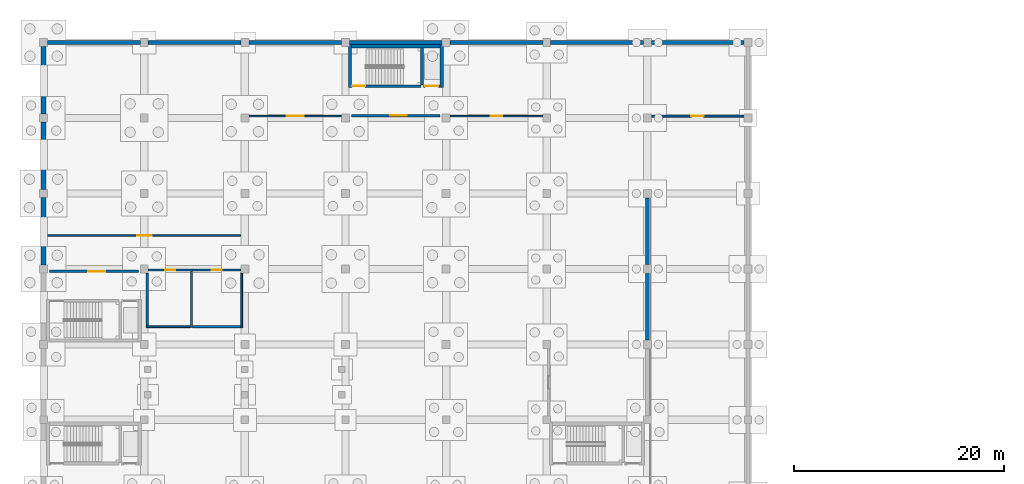
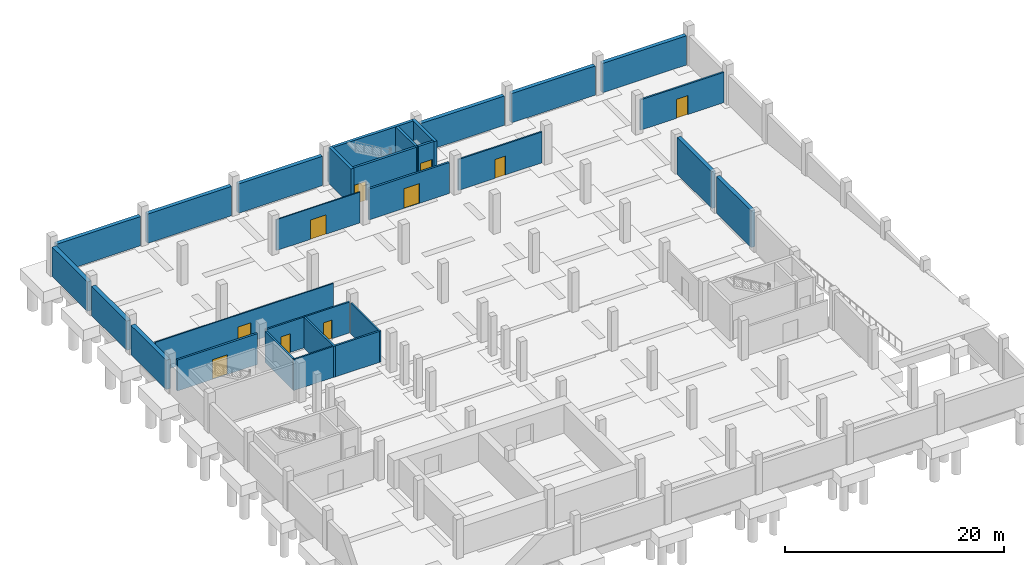
# One storey, part 7 of 13: 31 walls, 10 doors, 10 openings.
"""IFC4 building model written with IfcOpenShell, lengths in metres."""

from ifc_helpers import new_model, si_unit, direction, frame, frame_2d, origin, place, context, subcontext, project, spatial, rectangle, extrude, material, layer, layer_set, type_object, element, fill, save


model = new_model("IFC4")

# Units and contexts
model_context = context("Model", 3, precision=1e-05, world=origin(), true_north=direction((0.0, 1.0)))
body_context = subcontext(model_context, "Body", "Model", "MODEL_VIEW")
ifc_project = project(units=[si_unit("LENGTHUNIT", "METRE"), si_unit("AREAUNIT", "SQUARE_METRE"), si_unit("VOLUMEUNIT", "CUBIC_METRE"), si_unit("PLANEANGLEUNIT", "RADIAN"), si_unit("MASSUNIT", "GRAM", prefix="KILO")], contexts=[model_context])

# Site, building, storey
site_placement = place(None, origin())
site = spatial("IfcSite", under=ifc_project, at=site_placement, CompositionType="ELEMENT")
building_placement = place(site_placement, origin())
building = spatial("IfcBuilding", under=site, at=building_placement, Name="Asteropetra Specialist Clinic", CompositionType="ELEMENT")
storey_placement = place(building_placement, frame((0.0, 0.0, -4.419921875)))
storey = spatial("IfcBuildingStorey", under=building, at=storey_placement, Name="B1", CompositionType="ELEMENT", Elevation=-4.419921875)

# Wall, opening, door
ifc_material_1 = material(Name="Fire-rated masonry and gypsum", Category="masonry")
ifc_layer_1 = layer(ifc_material_1, 0.219970703125)
ifc_layer_set_1 = layer_set([ifc_layer_1], Name="Fire-rated masonry and gypsum")
wall_type_1 = type_object("IfcWallType", Name="W-COMP-220", PredefinedType="PARTITIONING", material=ifc_layer_set_1)
wall_1_placement = place(storey_placement, frame((0.56005859375, 40.580078125, 0.0), z_axis=(0.0, 0.0, 1.0), x_axis=(1.0, 0.0, 0.0)))
wall_1 = element("IfcWall", 1, at=wall_1_placement, inside=storey, type_object=wall_type_1, Name="Core Wall CW-C4-B1-LOB", PredefinedType="PARTITIONING", context=body_context, shape_type="SweptSolid", body=[
    extrude(rectangle(XDim=8.47998046875, YDim=0.219970703125, at=frame_2d((4.239990234375, 0.0))), origin(), (0.0, 0.0, 1.0), 3.449951171875),
])
opening_1_placement = place(wall_1_placement, frame((3.699951171875, 0.0, 0.0)))
opening_1 = element("IfcOpeningElement", 2, at=opening_1_placement, cuts=wall_1, Name="Opening FD-034", PredefinedType="OPENING", context=body_context, shape_type="SweptSolid", body=[
    extrude(rectangle(XDim=1.60009765625, YDim=2.199951171875, at=frame_2d((0.800048828125, 1.10009765625))), frame((0.0, 0.119873046875, 0.0), z_axis=(0.0, -1.0, 0.0), x_axis=(1.0, 0.0, 0.0)), (0.0, 0.0, 1.0), 0.239990234375),
])
ifc_material_2 = material(Name="Fire-rated steel and vision glass door", Category="steel")
door_type_1 = type_object("IfcDoorType", Name="FD-LOBBY-1600", OperationType="DOUBLE_DOOR_SINGLE_SWING", PredefinedType="DOOR", material=ifc_material_2)
door_1_placement = place(opening_1_placement, origin())
door_1 = element("IfcDoor", 3, at=door_1_placement, inside=storey, type_object=door_type_1, Name="Lobby Fire Door FD-034", OperationType="DOUBLE_DOOR_SINGLE_SWING", OverallHeight=2.199951171875, OverallWidth=1.60009765625, PredefinedType="DOOR", context=body_context, shape_type="SweptSolid", body=[
    extrude(rectangle(XDim=1.60009765625, YDim=2.199951171875, at=frame_2d((0.800048828125, 1.10009765625))), frame((0.0, 0.02490234375, 0.0), z_axis=(0.0, -1.0, 0.0), x_axis=(1.0, 0.0, 0.0)), (0.0, 0.0, 1.0), 0.050048828125),
])
fill(opening_1, door_1)

wall_2_placement = place(storey_placement, frame((29.360107421875, 55.419921875, 0.0), z_axis=(0.0, 0.0, 1.0), x_axis=(1.0, 0.0, 0.0)))
wall_2 = element("IfcWall", 4, at=wall_2_placement, inside=storey, type_object=wall_type_1, Name="Core Wall CW-C5-B1-LOB", PredefinedType="PARTITIONING", context=body_context, shape_type="SweptSolid", body=[
    extrude(rectangle(XDim=8.47998046875, YDim=0.219970703125, at=frame_2d((4.239990234375, 0.0))), origin(), (0.0, 0.0, 1.0), 3.449951171875),
])
opening_2_placement = place(wall_2_placement, frame((3.699951171875, 0.0, 0.0)))
opening_2 = element("IfcOpeningElement", 5, at=opening_2_placement, cuts=wall_2, Name="Opening FD-044", PredefinedType="OPENING", context=body_context, shape_type="SweptSolid", body=[
    extrude(rectangle(XDim=1.60009765625, YDim=2.199951171875, at=frame_2d((0.800048828125, 1.10009765625))), frame((0.0, 0.119873046875, 0.0), z_axis=(0.0, -1.0, 0.0), x_axis=(1.0, 0.0, 0.0)), (0.0, 0.0, 1.0), 0.239990234375),
])
door_2_placement = place(opening_2_placement, origin())
door_2 = element("IfcDoor", 6, at=door_2_placement, inside=storey, type_object=door_type_1, Name="Lobby Fire Door FD-044", OperationType="DOUBLE_DOOR_SINGLE_SWING", OverallHeight=2.199951171875, OverallWidth=1.60009765625, PredefinedType="DOOR", context=body_context, shape_type="SweptSolid", body=[
    extrude(rectangle(XDim=1.60009765625, YDim=2.199951171875, at=frame_2d((0.800048828125, 1.10009765625))), frame((0.0, 0.02490234375, 0.0), z_axis=(0.0, -1.0, 0.0), x_axis=(1.0, 0.0, 0.0)), (0.0, 0.0, 1.0), 0.050048828125),
])
fill(opening_2, door_2)

# Walls
ifc_material_3 = material(Name="Concrete C35/45", Category="concrete")
ifc_layer_2 = layer(ifc_material_3, 0.300048828125)
ifc_layer_set_2 = layer_set([ifc_layer_2], Name="Concrete C35/45")
wall_type_2 = type_object("IfcWallType", Name="W-CORE-300", PredefinedType="SHEAR", material=ifc_layer_set_2)
for number, where, z_axis, x_axis, name in (
    (7, (29.219970703125, 58.090087890625, 0.0), (0.0, 0.0, 1.0), (0.0, 1.0, 0.0), "Core Wall CW-C5-B1-W"),
    (8, (37.97998046875, 58.090087890625, 0.0), (0.0, 0.0, 1.0), (0.0, 1.0, 0.0), "Core Wall CW-C5-B1-E"),
):
    element("IfcWall", number, at=place(storey_placement, frame(where, z_axis=z_axis, x_axis=x_axis)), inside=storey, type_object=wall_type_2, Name=name, PredefinedType="SHEAR", context=body_context, shape_type="SweptSolid", body=[
        extrude(rectangle(XDim=4.099853515625, YDim=0.300048828125, at=frame_2d((2.0498046875, 0.0))), origin(), (0.0, 0.0, 1.0), 4.099853515625),
    ])
wall_3_placement = place(storey_placement, frame((29.364990234375, 62.0400390625, 0.0), z_axis=(0.0, 0.0, 1.0), x_axis=(1.0, 0.0, 0.0)))
element("IfcWall", 9, at=wall_3_placement, inside=storey, type_object=wall_type_2, Name="Core Wall CW-C5-B1-BACK", PredefinedType="SHEAR", context=body_context, shape_type="SweptSolid", body=[
    extrude(rectangle(XDim=8.469970703125, YDim=0.300048828125, at=frame_2d((4.23486328125, 0.0))), origin(), (0.0, 0.0, 1.0), 4.099853515625),
])

# Wall, opening, door
ifc_material_4 = material(Name="Acoustic clinical twin-stud partition", Category="masonry")
ifc_layer_3 = layer(ifc_material_4, 0.179931640625)
ifc_layer_set_3 = layer_set([ifc_layer_3], Name="Acoustic clinical twin-stud partition")
wall_type_3 = type_object("IfcWallType", Name="W-CORR-180", PredefinedType="PARTITIONING", material=ifc_layer_set_3)
wall_4_placement = place(storey_placement, frame((57.97998046875, 55.3798828125, 0.0), z_axis=(0.0, 0.0, 1.0), x_axis=(1.0, 0.0, 0.0)))
wall_4 = element("IfcWall", 10, at=wall_4_placement, inside=storey, type_object=wall_type_3, Name="Interior Partition PW-0012", PredefinedType="PARTITIONING", context=body_context, shape_type="SweptSolid", body=[
    extrude(rectangle(XDim=8.840087890625, YDim=0.179931640625, at=frame_2d((4.419921875, 0.0))), origin(), (0.0, 0.0, 1.0), 3.389892578125),
])
opening_3_placement = place(wall_4_placement, frame((3.820068359375, 0.0, 0.0)))
opening_3 = element("IfcOpeningElement", 11, at=opening_3_placement, cuts=wall_4, Name="Opening FD-P007", PredefinedType="OPENING", context=body_context, shape_type="SweptSolid", body=[
    extrude(rectangle(XDim=1.199951171875, YDim=2.1201171875, at=frame_2d((0.60009765625, 1.06005859375))), frame((0.0, 0.099853515625, 0.0), z_axis=(0.0, -1.0, 0.0), x_axis=(1.0, 0.0, 0.0)), (0.0, 0.0, 1.0), 0.199951171875),
])
ifc_material_5 = material(Name="Fire-rated steel and vision glass door", Category="steel")
door_type_2 = type_object("IfcDoorType", Name="FD-PLANT-1200", OperationType="NOTDEFINED", PredefinedType="DOOR", material=ifc_material_5)
door_3_placement = place(opening_3_placement, origin())
door_3 = element("IfcDoor", 12, at=door_3_placement, inside=storey, type_object=door_type_2, Name="Interior Door FD-P007", OperationType="SINGLE_SWING_LEFT", OverallHeight=2.1201171875, OverallWidth=1.199951171875, PredefinedType="DOOR", context=body_context, shape_type="SweptSolid", body=[
    extrude(rectangle(XDim=1.199951171875, YDim=2.1201171875, at=frame_2d((0.60009765625, 1.06005859375))), frame((0.0, 0.02490234375, 0.0), z_axis=(0.0, -1.0, 0.0), x_axis=(1.0, 0.0, 0.0)), (0.0, 0.0, 1.0), 0.050048828125),
])
fill(opening_3, door_3)

ifc_material_6 = material(Name="Light partition", Category="masonry")
ifc_layer_4 = layer(ifc_material_6, 0.1201171875)
ifc_layer_set_4 = layer_set([ifc_layer_4], Name="Light partition")
wall_type_4 = type_object("IfcWallType", Name="W-PART-120", PredefinedType="PARTITIONING", material=ifc_layer_set_4)
wall_5_placement = place(storey_placement, frame((19.580078125, 55.3798828125, 0.0), z_axis=(0.0, 0.0, 1.0), x_axis=(1.0, 0.0, 0.0)))
wall_5 = element("IfcWall", 13, at=wall_5_placement, inside=storey, type_object=wall_type_4, Name="Interior Partition PW-0009", PredefinedType="PARTITIONING", context=body_context, shape_type="SweptSolid", body=[
    extrude(rectangle(XDim=8.83984375, YDim=0.1201171875, at=frame_2d((4.419921875, 0.0))), origin(), (0.0, 0.0, 1.0), 3.449951171875),
])
opening_4_placement = place(wall_5_placement, frame((3.594970703125, 0.0, 0.0)))
opening_4 = element("IfcOpeningElement", 14, at=opening_4_placement, cuts=wall_5, Name="Opening ID-0004", PredefinedType="OPENING", context=body_context, shape_type="SweptSolid", body=[
    extrude(rectangle(XDim=1.64990234375, YDim=2.14990234375, at=frame_2d((0.824951171875, 1.074951171875))), frame((0.0, 0.070068359375, 0.0), z_axis=(0.0, -1.0, 0.0), x_axis=(1.0, 0.0, 0.0)), (0.0, 0.0, 1.0), 0.14013671875),
])
ifc_material_7 = material(Name="Antimicrobial laminate timber leaf in steel frame", Category="steel")
door_type_3 = type_object("IfcDoorType", Name="ID-PROC-1650", OperationType="DOUBLE_DOOR_SINGLE_SWING", PredefinedType="DOOR", material=ifc_material_7)
door_4_placement = place(opening_4_placement, origin())
door_4 = element("IfcDoor", 15, at=door_4_placement, inside=storey, type_object=door_type_3, Name="Interior Door ID-0004", OperationType="DOUBLE_DOOR_SINGLE_SWING", OverallHeight=2.14990234375, OverallWidth=1.64990234375, PredefinedType="DOOR", context=body_context, shape_type="SweptSolid", body=[
    extrude(rectangle(XDim=1.64990234375, YDim=2.14990234375, at=frame_2d((0.824951171875, 1.074951171875))), frame((0.0, 0.02490234375, 0.0), z_axis=(0.0, -1.0, 0.0), x_axis=(1.0, 0.0, 0.0)), (0.0, 0.0, 1.0), 0.050048828125),
])
fill(opening_4, door_4)

ifc_material_8 = material(Name="Office and seminar partition", Category="masonry")
ifc_layer_5 = layer(ifc_material_8, 0.1298828125)
ifc_layer_set_5 = layer_set([ifc_layer_5], Name="Office and seminar partition")
wall_type_5 = type_object("IfcWallType", Name="W-PART-130", PredefinedType="PARTITIONING", material=ifc_layer_set_5)
wall_6_placement = place(storey_placement, frame((0.22705078125, 43.97998046875, 0.0), z_axis=(0.0, 0.0, 1.0), x_axis=(1.0, 0.0, 0.0)))
wall_6 = element("IfcWall", 16, at=wall_6_placement, inside=storey, type_object=wall_type_5, Name="Interior Partition PW-0008", PredefinedType="PARTITIONING", context=body_context, shape_type="SweptSolid", body=[
    extrude(rectangle(XDim=18.79296875, YDim=0.1298828125, at=frame_2d((9.396484375, 0.0))), origin(), (0.0, 0.0, 1.0), 3.4599609375),
])
opening_5_placement = place(wall_6_placement, frame((8.721435546875, 0.0, 0.0)))
opening_5 = element("IfcOpeningElement", 17, at=opening_5_placement, cuts=wall_6, Name="Opening ID-0003", PredefinedType="OPENING", context=body_context, shape_type="SweptSolid", body=[
    extrude(rectangle(XDim=1.35009765625, YDim=2.1201171875, at=frame_2d((0.675048828125, 1.06005859375))), frame((0.0, 0.074951171875, 0.0), z_axis=(0.0, -1.0, 0.0), x_axis=(1.0, 0.0, 0.0)), (0.0, 0.0, 1.0), 0.14990234375),
])
ifc_material_9 = material(Name="Antimicrobial laminate timber leaf in steel frame", Category="steel")
door_type_4 = type_object("IfcDoorType", Name="ID-LAB-1350", OperationType="NOTDEFINED", PredefinedType="DOOR", material=ifc_material_9)
door_5_placement = place(opening_5_placement, origin())
door_5 = element("IfcDoor", 18, at=door_5_placement, inside=storey, type_object=door_type_4, Name="Interior Door ID-0003", OperationType="SINGLE_SWING_LEFT", OverallHeight=2.1201171875, OverallWidth=1.35009765625, PredefinedType="DOOR", context=body_context, shape_type="SweptSolid", body=[
    extrude(rectangle(XDim=1.35009765625, YDim=2.1201171875, at=frame_2d((0.675048828125, 1.06005859375))), frame((0.0, 0.02490234375, 0.0), z_axis=(0.0, -1.0, 0.0), x_axis=(1.0, 0.0, 0.0)), (0.0, 0.0, 1.0), 0.050048828125),
])
fill(opening_5, door_5)

ifc_material_10 = material(Name="Acoustic clinical stud partition", Category="masonry")
ifc_layer_6 = layer(ifc_material_10, 0.159912109375)
ifc_layer_set_6 = layer_set([ifc_layer_6], Name="Acoustic clinical stud partition")
wall_type_6 = type_object("IfcWallType", Name="W-PART-160", PredefinedType="PARTITIONING", material=ifc_layer_set_6)
wall_7_placement = place(storey_placement, frame((38.780029296875, 55.3798828125, 0.0), z_axis=(0.0, 0.0, 1.0), x_axis=(1.0, 0.0, 0.0)))
wall_7 = element("IfcWall", 19, at=wall_7_placement, inside=storey, type_object=wall_type_6, Name="Interior Partition PW-0010", PredefinedType="PARTITIONING", context=body_context, shape_type="SweptSolid", body=[
    extrude(rectangle(XDim=8.840087890625, YDim=0.159912109375, at=frame_2d((4.419921875, 0.0))), origin(), (0.0, 0.0, 1.0), 3.449951171875),
])
opening_6_placement = place(wall_7_placement, frame((3.8798828125, 0.0, 0.0)))
opening_6 = element("IfcOpeningElement", 20, at=opening_6_placement, cuts=wall_7, Name="Opening ID-0005", PredefinedType="OPENING", context=body_context, shape_type="SweptSolid", body=[
    extrude(rectangle(XDim=1.080078125, YDim=2.10009765625, at=frame_2d((0.5400390625, 1.050048828125))), frame((0.0, 0.08984375, 0.0), z_axis=(0.0, -1.0, 0.0), x_axis=(1.0, 0.0, 0.0)), (0.0, 0.0, 1.0), 0.179931640625),
])
ifc_material_11 = material(Name="Antimicrobial laminate timber leaf in steel frame", Category="steel")
door_type_5 = type_object("IfcDoorType", Name="ID-EXAM-1080", OperationType="SINGLE_SWING_LEFT", PredefinedType="DOOR", material=ifc_material_11)
door_6_placement = place(opening_6_placement, origin())
door_6 = element("IfcDoor", 21, at=door_6_placement, inside=storey, type_object=door_type_5, Name="Interior Door ID-0005", OperationType="SINGLE_SWING_LEFT", OverallHeight=2.10009765625, OverallWidth=1.080078125, PredefinedType="DOOR", context=body_context, shape_type="SweptSolid", body=[
    extrude(rectangle(XDim=1.080078125, YDim=2.10009765625, at=frame_2d((0.5400390625, 1.050048828125))), frame((0.0, 0.02490234375, 0.0), z_axis=(0.0, -1.0, 0.0), x_axis=(1.0, 0.0, 0.0)), (0.0, 0.0, 1.0), 0.050048828125),
])
fill(opening_6, door_6)

ifc_material_12 = material(Name="En-suite plumbing wall", Category="masonry")
ifc_layer_7 = layer(ifc_material_12, 0.169921875)
ifc_layer_set_7 = layer_set([ifc_layer_7], Name="En-suite plumbing wall")
wall_type_7 = type_object("IfcWallType", Name="W-PLUMB-170", PredefinedType="PLUMBINGWALL", material=ifc_layer_set_7)
wall_8_placement = place(storey_placement, frame((9.97998046875, 40.7099609375, 0.0), z_axis=(0.0, 0.0, 1.0), x_axis=(1.0, 0.0, 0.0)))
wall_8 = element("IfcWall", 22, at=wall_8_placement, inside=storey, type_object=wall_type_7, Name="Interior Partition PW-0001", PredefinedType="PLUMBINGWALL", context=body_context, shape_type="SweptSolid", body=[
    extrude(rectangle(XDim=4.22509765625, YDim=0.169921875, at=frame_2d((2.112548828125, 0.0))), origin(), (0.0, 0.0, 1.0), 3.449951171875),
])
opening_7_placement = place(wall_8_placement, frame((1.62255859375, 0.0, 0.0)))
opening_7 = element("IfcOpeningElement", 23, at=opening_7_placement, cuts=wall_8, Name="Opening ID-0001", PredefinedType="OPENING", context=body_context, shape_type="SweptSolid", body=[
    extrude(rectangle(XDim=0.97998046875, YDim=2.080078125, at=frame_2d((0.489990234375, 1.0400390625))), frame((0.0, 0.094970703125, 0.0), z_axis=(0.0, -1.0, 0.0), x_axis=(1.0, 0.0, 0.0)), (0.0, 0.0, 1.0), 0.18994140625),
])
ifc_material_13 = material(Name="Antimicrobial laminate timber leaf in steel frame", Category="steel")
door_type_6 = type_object("IfcDoorType", Name="ID-AWC-0980", OperationType="NOTDEFINED", PredefinedType="DOOR", material=ifc_material_13)
door_7_placement = place(opening_7_placement, origin())
door_7 = element("IfcDoor", 24, at=door_7_placement, inside=storey, type_object=door_type_6, Name="Interior Door ID-0001", OperationType="SINGLE_SWING_RIGHT", OverallHeight=2.080078125, OverallWidth=0.97998046875, PredefinedType="DOOR", context=body_context, shape_type="SweptSolid", body=[
    extrude(rectangle(XDim=0.97998046875, YDim=2.080078125, at=frame_2d((0.489990234375, 1.0400390625))), frame((0.0, 0.02490234375, 0.0), z_axis=(0.0, -1.0, 0.0), x_axis=(1.0, 0.0, 0.0)), (0.0, 0.0, 1.0), 0.050048828125),
])
fill(opening_7, door_7)

# Walls
wall_9_placement = place(storey_placement, frame((9.794921875, 35.2900390625, 0.0), z_axis=(0.0, 0.0, 1.0), x_axis=(1.0, 0.0, 0.0)))
element("IfcWall", 25, at=wall_9_placement, inside=storey, type_object=wall_type_7, Name="Interior Partition PW-0003", PredefinedType="PLUMBINGWALL", context=body_context, shape_type="SweptSolid", body=[
    extrude(rectangle(XDim=4.213134765625, YDim=0.169921875, at=frame_2d((2.1064453125, 0.0))), origin(), (0.0, 0.0, 1.0), 3.4599609375),
])
wall_10_placement = place(storey_placement, frame((18.909912109375, 35.195068359375, 0.0), z_axis=(0.0, 0.0, 1.0), x_axis=(0.0, 1.0, 0.0)))
element("IfcWall", 26, at=wall_10_placement, inside=storey, type_object=wall_type_7, Name="Interior Partition PW-0005", PredefinedType="PLUMBINGWALL", context=body_context, shape_type="SweptSolid", body=[
    extrude(rectangle(XDim=5.224853515625, YDim=0.169921875, at=frame_2d((2.6123046875, 0.0))), origin(), (0.0, 0.0, 1.0), 3.4599609375),
])

# Wall, opening, door
wall_11_placement = place(storey_placement, frame((14.2119140625, 40.7099609375, 0.0), z_axis=(0.0, 0.0, 1.0), x_axis=(1.0, 0.0, 0.0)))
wall_11 = element("IfcWall", 27, at=wall_11_placement, inside=storey, type_object=wall_type_7, Name="Interior Partition PW-0007", PredefinedType="PLUMBINGWALL", context=body_context, shape_type="SweptSolid", body=[
    extrude(rectangle(XDim=4.608154296875, YDim=0.169921875, at=frame_2d((2.30419921875, 0.0))), origin(), (0.0, 0.0, 1.0), 3.449951171875),
])
opening_8_placement = place(wall_11_placement, frame((1.843994140625, 0.0, 0.0)))
opening_8 = element("IfcOpeningElement", 28, at=opening_8_placement, cuts=wall_11, Name="Opening ID-0002", PredefinedType="OPENING", context=body_context, shape_type="SweptSolid", body=[
    extrude(rectangle(XDim=0.919921875, YDim=2.080078125, at=frame_2d((0.4599609375, 1.0400390625))), frame((0.0, 0.094970703125, 0.0), z_axis=(0.0, -1.0, 0.0), x_axis=(1.0, 0.0, 0.0)), (0.0, 0.0, 1.0), 0.18994140625),
])
ifc_material_14 = material(Name="Antimicrobial laminate timber leaf in steel frame", Category="steel")
door_type_7 = type_object("IfcDoorType", Name="ID-WC-0920", OperationType="NOTDEFINED", PredefinedType="DOOR", material=ifc_material_14)
door_8_placement = place(opening_8_placement, origin())
door_8 = element("IfcDoor", 29, at=door_8_placement, inside=storey, type_object=door_type_7, Name="Interior Door ID-0002", OperationType="SINGLE_SWING_LEFT", OverallHeight=2.080078125, OverallWidth=0.919921875, PredefinedType="DOOR", context=body_context, shape_type="SweptSolid", body=[
    extrude(rectangle(XDim=0.919921875, YDim=2.080078125, at=frame_2d((0.4599609375, 1.0400390625))), frame((0.0, 0.02490234375, 0.0), z_axis=(0.0, -1.0, 0.0), x_axis=(1.0, 0.0, 0.0)), (0.0, 0.0, 1.0), 0.050048828125),
])
fill(opening_8, door_8)

# Walls
ifc_material_15 = material(Name="Sanitary service-chase wall", Category="masonry")
ifc_layer_8 = layer(ifc_material_15, 0.199951171875)
ifc_layer_set_8 = layer_set([ifc_layer_8], Name="Sanitary service-chase wall")
wall_type_8 = type_object("IfcWallType", Name="W-PLUMB-200", PredefinedType="PLUMBINGWALL", material=ifc_layer_set_8)
wall_12_placement = place(storey_placement, frame((14.110107421875, 35.195068359375, 0.0), z_axis=(0.0, 0.0, 1.0), x_axis=(0.0, 1.0, 0.0)))
element("IfcWall", 30, at=wall_12_placement, inside=storey, type_object=wall_type_8, Name="Interior Partition PW-0002", PredefinedType="PLUMBINGWALL", context=body_context, shape_type="SweptSolid", body=[
    extrude(rectangle(XDim=5.60986328125, YDim=0.199951171875, at=frame_2d((2.804931640625, 0.0))), origin(), (0.0, 0.0, 1.0), 3.449951171875),
])
wall_13_placement = place(storey_placement, frame((9.889892578125, 35.376953125, 0.0), z_axis=(0.0, 0.0, 1.0), x_axis=(0.0, 1.0, 0.0)))
element("IfcWall", 31, at=wall_13_placement, inside=storey, type_object=wall_type_8, Name="Interior Partition PW-0004", PredefinedType="PLUMBINGWALL", context=body_context, shape_type="SweptSolid", body=[
    extrude(rectangle(XDim=5.04296875, YDim=0.199951171875, at=frame_2d((2.521484375, 0.0))), origin(), (0.0, 0.0, 1.0), 3.4599609375),
])
wall_14_placement = place(storey_placement, frame((14.2119140625, 35.2900390625, 0.0), z_axis=(0.0, 0.0, 1.0), x_axis=(1.0, 0.0, 0.0)))
element("IfcWall", 32, at=wall_14_placement, inside=storey, type_object=wall_type_8, Name="Interior Partition PW-0006", PredefinedType="PLUMBINGWALL", context=body_context, shape_type="SweptSolid", body=[
    extrude(rectangle(XDim=4.611083984375, YDim=0.199951171875, at=frame_2d((2.3056640625, 0.0))), origin(), (0.0, 0.0, 1.0), 3.4599609375),
])
ifc_material_16 = material(Name="Concrete C35/45", Category="concrete")
ifc_layer_9 = layer(ifc_material_16, 0.25)
ifc_layer_set_9 = layer_set([ifc_layer_9], Name="Concrete C35/45")
wall_type_9 = type_object("IfcWallType", Name="W-SHAFT-250", PredefinedType="SHEAR", material=ifc_layer_set_9)
wall_15_placement = place(storey_placement, frame((36.10009765625, 58.360107421875, 0.0), z_axis=(0.0, 0.0, 1.0), x_axis=(0.0, 1.0, 0.0)))
element("IfcWall", 33, at=wall_15_placement, inside=storey, type_object=wall_type_9, Name="Core Wall CW-C5-B1-MID", PredefinedType="SHEAR", context=body_context, shape_type="SweptSolid", body=[
    extrude(rectangle(XDim=3.52978515625, YDim=0.25, at=frame_2d((1.764892578125, 0.0))), origin(), (0.0, 0.0, 1.0), 4.099853515625),
])

# Wall, opening, door
wall_16_placement = place(storey_placement, frame((29.364990234375, 58.239990234375, 0.0), z_axis=(0.0, 0.0, 1.0), x_axis=(1.0, 0.0, 0.0)))
wall_16 = element("IfcWall", 34, at=wall_16_placement, inside=storey, type_object=wall_type_9, Name="Core Wall CW-C5-B1-STDIV", PredefinedType="SHEAR", context=body_context, shape_type="SweptSolid", body=[
    extrude(rectangle(XDim=6.614990234375, YDim=0.25, at=frame_2d((3.3076171875, 0.0))), origin(), (0.0, 0.0, 1.0), 4.099853515625),
])
opening_9_placement = place(wall_16_placement, frame((0.080078125, 0.0, 0.0)))
opening_9 = element("IfcOpeningElement", 35, at=opening_9_placement, cuts=wall_16, Name="Opening FD-043", PredefinedType="OPENING", context=body_context, shape_type="SweptSolid", body=[
    extrude(rectangle(XDim=1.239990234375, YDim=2.14990234375, at=frame_2d((0.6201171875, 1.074951171875))), frame((0.0, 0.135009765625, 0.0), z_axis=(0.0, -1.0, 0.0), x_axis=(1.0, 0.0, 0.0)), (0.0, 0.0, 1.0), 0.27001953125),
])
ifc_material_17 = material(Name="Fire-rated steel and vision glass door", Category="steel")
door_type_8 = type_object("IfcDoorType", Name="FD-STAIR-1400", OperationType="DOUBLE_DOOR_SINGLE_SWING", PredefinedType="DOOR", material=ifc_material_17)
door_9_placement = place(opening_9_placement, origin())
door_9 = element("IfcDoor", 36, at=door_9_placement, inside=storey, type_object=door_type_8, Name="Stair Fire Door FD-043", OperationType="DOUBLE_DOOR_SINGLE_SWING", OverallHeight=2.14990234375, OverallWidth=1.239990234375, PredefinedType="DOOR", context=body_context, shape_type="SweptSolid", body=[
    extrude(rectangle(XDim=1.239990234375, YDim=2.14990234375, at=frame_2d((0.6201171875, 1.074951171875))), frame((0.0, 0.02490234375, 0.0), z_axis=(0.0, -1.0, 0.0), x_axis=(1.0, 0.0, 0.0)), (0.0, 0.0, 1.0), 0.050048828125),
])
fill(opening_9, door_9)

wall_17_placement = place(storey_placement, frame((36.219970703125, 58.239990234375, 0.0), z_axis=(0.0, 0.0, 1.0), x_axis=(1.0, 0.0, 0.0)))
wall_17 = element("IfcWall", 37, at=wall_17_placement, inside=storey, type_object=wall_type_9, Name="Lift Shaft Front Wall CW-C5-B1-LFTF", PredefinedType="SHEAR", context=body_context, shape_type="SweptSolid", body=[
    extrude(rectangle(XDim=1.614990234375, YDim=0.25, at=frame_2d((0.8076171875, 0.0))), origin(), (0.0, 0.0, 1.0), 4.099853515625),
])
opening_10_placement = place(wall_17_placement, frame((0.1826171875, 0.0, 0.0)))
opening_10 = element("IfcOpeningElement", 38, at=opening_10_placement, cuts=wall_17, Name="Opening LD-022", PredefinedType="OPENING", context=body_context, shape_type="SweptSolid", body=[
    extrude(rectangle(XDim=1.25, YDim=2.14990234375, at=frame_2d((0.625, 1.074951171875))), frame((0.0, 0.135009765625, 0.0), z_axis=(0.0, -1.0, 0.0), x_axis=(1.0, 0.0, 0.0)), (0.0, 0.0, 1.0), 0.27001953125),
])
ifc_material_18 = material(Name="Brushed stainless steel sliding lift landing door", Category="steel")
door_type_9 = type_object("IfcDoorType", Name="LD-SERV-1250", OperationType="DOUBLE_DOOR_SLIDING", PredefinedType="DOOR", material=ifc_material_18)
door_10_placement = place(opening_10_placement, origin())
door_10 = element("IfcDoor", 39, at=door_10_placement, inside=storey, type_object=door_type_9, Name="Lift Landing Door LD-022", OperationType="DOUBLE_DOOR_SLIDING", OverallHeight=2.14990234375, OverallWidth=1.25, PredefinedType="DOOR", context=body_context, shape_type="SweptSolid", body=[
    extrude(rectangle(XDim=1.25, YDim=2.14990234375, at=frame_2d((0.625, 1.074951171875))), frame((0.0, 0.02490234375, 0.0), z_axis=(0.0, -1.0, 0.0), x_axis=(1.0, 0.0, 0.0)), (0.0, 0.0, 1.0), 0.050048828125),
])
fill(opening_10, door_10)

# Walls
ifc_material_19 = material(Name="Concrete C35/45", Category="concrete")
ifc_layer_10 = layer(ifc_material_19, 0.39990234375)
ifc_layer_set_10 = layer_set([ifc_layer_10], Name="Concrete C35/45")
wall_type_10 = type_object("IfcWallType", Name="WL-RET-400", PredefinedType="USERDEFINED", material=ifc_layer_set_10)
wall_18_placement = place(storey_placement, frame((0.375, 62.39990234375, 0.0), z_axis=(0.0, 0.0, 1.0), x_axis=(1.0, 0.0, 0.0)))
element("IfcWall", 40, at=wall_18_placement, inside=storey, type_object=wall_type_10, Name="Basement Retaining Wall WR-002", ObjectType="RETAINING WALL", PredefinedType="USERDEFINED", context=body_context, shape_type="SweptSolid", body=[
    extrude(rectangle(XDim=8.85009765625, YDim=0.39990234375, at=frame_2d((4.425048828125, 0.0))), origin(), (0.0, 0.0, 1.0), 3.27001953125),
])
wall_19_placement = place(storey_placement, frame((9.97509765625, 62.39990234375, 0.0), z_axis=(0.0, 0.0, 1.0), x_axis=(1.0, 0.0, 0.0)))
element("IfcWall", 41, at=wall_19_placement, inside=storey, type_object=wall_type_10, Name="Basement Retaining Wall WR-004", ObjectType="RETAINING WALL", PredefinedType="USERDEFINED", context=body_context, shape_type="SweptSolid", body=[
    extrude(rectangle(XDim=8.849853515625, YDim=0.39990234375, at=frame_2d((4.4248046875, 0.0))), origin(), (0.0, 0.0, 1.0), 3.27001953125),
])
wall_20_placement = place(storey_placement, frame((19.574951171875, 62.39990234375, 0.0), z_axis=(0.0, 0.0, 1.0), x_axis=(1.0, 0.0, 0.0)))
element("IfcWall", 42, at=wall_20_placement, inside=storey, type_object=wall_type_10, Name="Basement Retaining Wall WR-006", ObjectType="RETAINING WALL", PredefinedType="USERDEFINED", context=body_context, shape_type="SweptSolid", body=[
    extrude(rectangle(XDim=8.85009765625, YDim=0.39990234375, at=frame_2d((4.425048828125, 0.0))), origin(), (0.0, 0.0, 1.0), 3.27001953125),
])
wall_21_placement = place(storey_placement, frame((29.175048828125, 62.39990234375, 0.0), z_axis=(0.0, 0.0, 1.0), x_axis=(1.0, 0.0, 0.0)))
element("IfcWall", 43, at=wall_21_placement, inside=storey, type_object=wall_type_10, Name="Basement Retaining Wall WR-008", ObjectType="RETAINING WALL", PredefinedType="USERDEFINED", context=body_context, shape_type="SweptSolid", body=[
    extrude(rectangle(XDim=8.849853515625, YDim=0.39990234375, at=frame_2d((4.4248046875, 0.0))), origin(), (0.0, 0.0, 1.0), 3.27001953125),
])
for number, where, z_axis, x_axis, name in (
    (44, (38.77490234375, 62.39990234375, 0.0), (0.0, 0.0, 1.0), (1.0, 0.0, 0.0), "Basement Retaining Wall WR-010"),
    (45, (48.375, 62.39990234375, 0.0), (0.0, 0.0, 1.0), (1.0, 0.0, 0.0), "Basement Retaining Wall WR-012"),
):
    element("IfcWall", number, at=place(storey_placement, frame(where, z_axis=z_axis, x_axis=x_axis)), inside=storey, type_object=wall_type_10, Name=name, ObjectType="RETAINING WALL", PredefinedType="USERDEFINED", context=body_context, shape_type="SweptSolid", body=[
        extrude(rectangle(XDim=8.85009765625, YDim=0.39990234375, at=frame_2d((4.425048828125, 0.0))), origin(), (0.0, 0.0, 1.0), 3.27001953125),
    ])
wall_22_placement = place(storey_placement, frame((57.97509765625, 62.39990234375, 0.0), z_axis=(0.0, 0.0, 1.0), x_axis=(1.0, 0.0, 0.0)))
element("IfcWall", 46, at=wall_22_placement, inside=storey, type_object=wall_type_10, Name="Basement Retaining Wall WR-014", ObjectType="RETAINING WALL", PredefinedType="USERDEFINED", context=body_context, shape_type="SweptSolid", body=[
    extrude(rectangle(XDim=8.849853515625, YDim=0.39990234375, at=frame_2d((4.4248046875, 0.0))), origin(), (0.0, 0.0, 1.0), 3.27001953125),
])
wall_23_placement = place(storey_placement, frame((57.60009765625, 34.02490234375, 0.0), z_axis=(0.0, 0.0, 1.0), x_axis=(0.0, 1.0, 0.0)))
element("IfcWall", 47, at=wall_23_placement, inside=storey, type_object=wall_type_10, Name="Vehicle Ramp Support Wall CWR-W4", ObjectType="RETAINING WALL", PredefinedType="USERDEFINED", context=body_context, shape_type="SweptSolid", body=[
    extrude(rectangle(XDim=6.35009765625, YDim=0.39990234375, at=frame_2d((3.175048828125, 0.0))), origin(), (0.0, 0.0, 1.0), 4.099853515625),
])
wall_24_placement = place(storey_placement, frame((57.60009765625, 41.22509765625, 0.0), z_axis=(0.0, 0.0, 1.0), x_axis=(0.0, 1.0, 0.0)))
element("IfcWall", 48, at=wall_24_placement, inside=storey, type_object=wall_type_10, Name="Vehicle Ramp Support Wall CWR-W5", ObjectType="RETAINING WALL", PredefinedType="USERDEFINED", context=body_context, shape_type="SweptSolid", body=[
    extrude(rectangle(XDim=6.349853515625, YDim=0.39990234375, at=frame_2d((3.1748046875, 0.0))), origin(), (0.0, 0.0, 1.0), 4.099853515625),
])
ifc_material_20 = material(Name="Concrete C35/45", Category="concrete")
ifc_layer_11 = layer(ifc_material_20, 0.449951171875)
ifc_layer_set_11 = layer_set([ifc_layer_11], Name="Concrete C35/45")
wall_type_11 = type_object("IfcWallType", Name="WL-RET-450", PredefinedType="USERDEFINED", material=ifc_layer_set_11)
for number, where, z_axis, x_axis, name in (
    (49, (0.0, 41.175048828125, 0.0), (0.0, 0.0, 1.0), (0.0, 1.0, 0.0), "Basement Retaining Wall WR-027"),
    (50, (0.0, 48.375, 0.0), (0.0, 0.0, 1.0), (0.0, 1.0, 0.0), "Basement Retaining Wall WR-029"),
    (51, (0.0, 55.574951171875, 0.0), (0.0, 0.0, 1.0), (0.0, 1.0, 0.0), "Basement Retaining Wall WR-031"),
):
    element("IfcWall", number, at=place(storey_placement, frame(where, z_axis=z_axis, x_axis=x_axis)), inside=storey, type_object=wall_type_11, Name=name, ObjectType="RETAINING WALL", PredefinedType="USERDEFINED", context=body_context, shape_type="SweptSolid", body=[
        extrude(rectangle(XDim=6.449951171875, YDim=0.449951171875, at=frame_2d((3.22509765625, 0.0))), origin(), (0.0, 0.0, 1.0), 3.27001953125),
    ])

save(model, "model.ifc")
